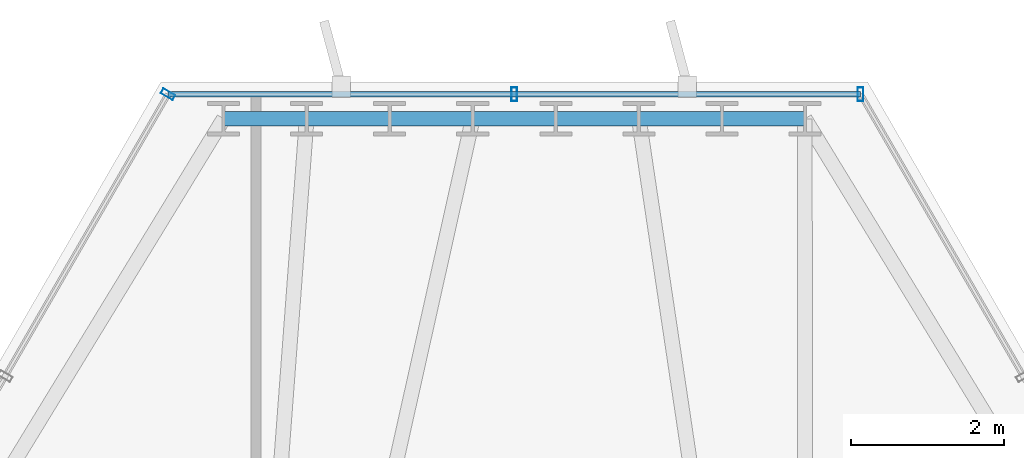
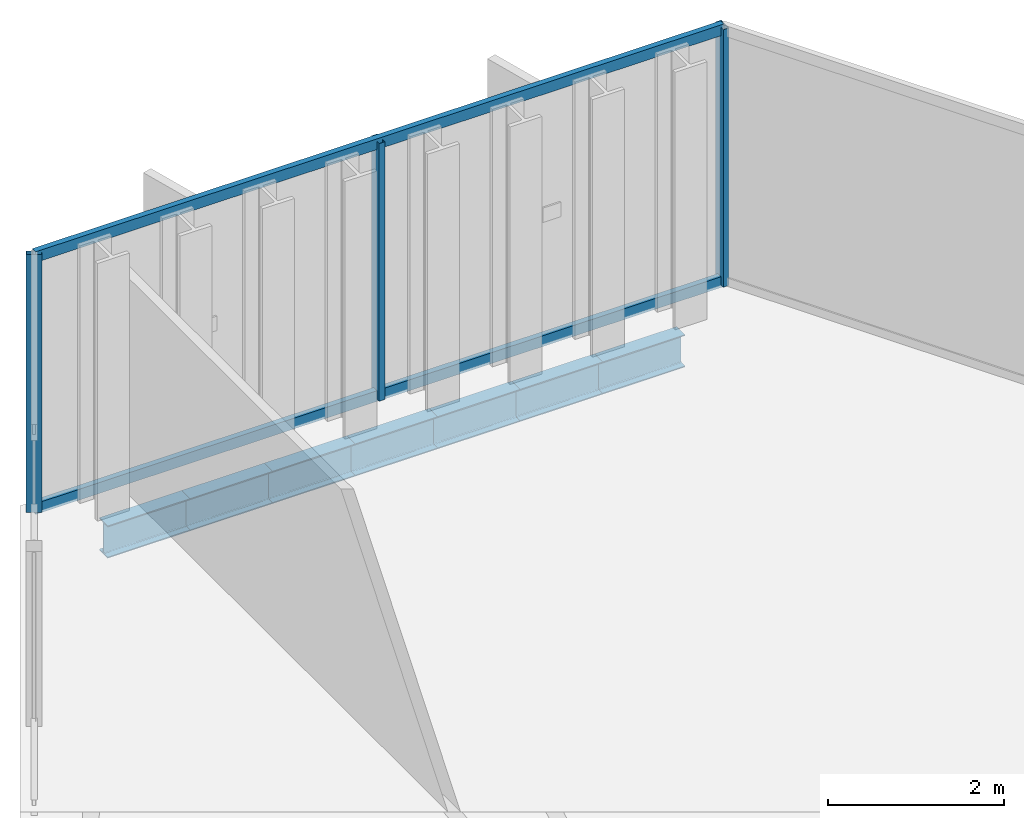
# One storey, part 23 of 34: 7 beams, 5 members, 2 elements without a shape of their own.
"""IFC4 building model written with IfcOpenShell, lengths in metres."""

from ifc_helpers import new_model, si_unit, direction, frame, origin, origin_2d, place, context, subcontext, project, spatial, hollow_rectangle, i_section, extrude, material, layer, layer_set, material_profile, profile_set, type_object, element, aggregate, save


model = new_model("IFC4")

# Units and contexts
model_context = context("Model", 3, precision=1e-05, world=origin(), true_north=direction((0.0, 1.0)))
body_context = subcontext(model_context, "Body", "Model", "MODEL_VIEW")
ifc_project = project(units=[si_unit("LENGTHUNIT", "METRE"), si_unit("AREAUNIT", "SQUARE_METRE"), si_unit("VOLUMEUNIT", "CUBIC_METRE"), si_unit("PLANEANGLEUNIT", "RADIAN"), si_unit("MASSUNIT", "GRAM", prefix="KILO")], contexts=[model_context])

# Site, building, storey
site_placement = place(None, origin())
site = spatial("IfcSite", under=ifc_project, at=site_placement, CompositionType="ELEMENT")
building_placement = place(site_placement, origin())
building = spatial("IfcBuilding", under=site, at=building_placement, Name="Ndaravel Arena Tower", CompositionType="ELEMENT")
storey_placement = place(building_placement, frame((0.0, 0.0, 195.39990234375)))
storey = spatial("IfcBuildingStorey", under=building, at=storey_placement, Name="L47", CompositionType="ELEMENT", Elevation=195.39990234375)

# Beams
ifc_material_1 = material(Name="Steel S355", Category="steel")
ifc_material_profile_1 = material_profile(ifc_material_1, i_section(OverallWidth=0.18994140625, OverallDepth=0.449951171875, WebThickness=0.009521484375, FlangeThickness=0.0146484375, FilletRadius=0.02099609375, at=origin_2d()), Name="IPE 450")
ifc_profile_set_1 = profile_set([ifc_material_profile_1], Name="Steel S355")
beam_type = type_object("IfcBeamType", Name="BM-SPAN-IPE450", PredefinedType="SPANDREL", material=ifc_profile_set_1)
for number, where, z_axis, x_axis, name in (
    (1, (45.7958984375, 45.805908203125, -0.44482421875), (-1.0, 0.0, 0.0), (0.0, -1.0, 0.0), "L47 Perimeter Spandrel Beam SP-11"),
    (2, (44.71142578125, 45.805908203125, -0.44482421875), (-1.0, 0.0, 0.0), (0.0, -1.0, 0.0), "L47 Perimeter Spandrel Beam SP-12"),
):
    element("IfcBeam", number, at=place(storey_placement, frame(where, z_axis=z_axis, x_axis=x_axis)), inside=storey, type_object=beam_type, Name=name, PredefinedType="SPANDREL", context=body_context, shape_type="SweptSolid", body=[
        extrude(i_section(OverallWidth=0.18994140625, OverallDepth=0.449951171875, WebThickness=0.009521484375, FlangeThickness=0.0146484375, FilletRadius=0.02099609375, at=origin_2d()), origin(), (0.0, 0.0, 1.0), 1.08447265625),
    ])
beam_1_placement = place(storey_placement, frame((43.626953125, 45.805908203125, -0.44482421875), z_axis=(-1.0, 0.0, 0.0), x_axis=(0.0, -1.0, 0.0)))
element("IfcBeam", 3, at=beam_1_placement, inside=storey, type_object=beam_type, Name="L47 Perimeter Spandrel Beam SP-13", PredefinedType="SPANDREL", context=body_context, shape_type="SweptSolid", body=[
    extrude(i_section(OverallWidth=0.18994140625, OverallDepth=0.449951171875, WebThickness=0.009521484375, FlangeThickness=0.0146484375, FilletRadius=0.02099609375, at=origin_2d()), origin(), (0.0, 0.0, 1.0), 1.084716796875),
])
beam_2_placement = place(storey_placement, frame((42.542236328125, 45.805908203125, -0.44482421875), z_axis=(-1.0, 0.0, 0.0), x_axis=(0.0, -1.0, 0.0)))
element("IfcBeam", 4, at=beam_2_placement, inside=storey, type_object=beam_type, Name="L47 Perimeter Spandrel Beam SP-14", PredefinedType="SPANDREL", context=body_context, shape_type="SweptSolid", body=[
    extrude(i_section(OverallWidth=0.18994140625, OverallDepth=0.449951171875, WebThickness=0.009521484375, FlangeThickness=0.0146484375, FilletRadius=0.02099609375, at=origin_2d()), origin(), (0.0, 0.0, 1.0), 1.08447265625),
])
beam_3_placement = place(storey_placement, frame((41.457763671875, 45.805908203125, -0.44482421875), z_axis=(-1.0, 0.0, 0.0), x_axis=(0.0, -1.0, 0.0)))
element("IfcBeam", 5, at=beam_3_placement, inside=storey, type_object=beam_type, Name="L47 Perimeter Spandrel Beam SP-15", PredefinedType="SPANDREL", context=body_context, shape_type="SweptSolid", body=[
    extrude(i_section(OverallWidth=0.18994140625, OverallDepth=0.449951171875, WebThickness=0.009521484375, FlangeThickness=0.0146484375, FilletRadius=0.02099609375, at=origin_2d()), origin(), (0.0, 0.0, 1.0), 1.084716796875),
])
for number, where, z_axis, x_axis, name in (
    (6, (40.373046875, 45.805908203125, -0.44482421875), (-1.0, 0.0, 0.0), (0.0, -1.0, 0.0), "L47 Perimeter Spandrel Beam SP-16"),
    (7, (39.28857421875, 45.805908203125, -0.44482421875), (-1.0, 0.0, 0.0), (0.0, -1.0, 0.0), "L47 Perimeter Spandrel Beam SP-17"),
):
    element("IfcBeam", number, at=place(storey_placement, frame(where, z_axis=z_axis, x_axis=x_axis)), inside=storey, type_object=beam_type, Name=name, PredefinedType="SPANDREL", context=body_context, shape_type="SweptSolid", body=[
        extrude(i_section(OverallWidth=0.18994140625, OverallDepth=0.449951171875, WebThickness=0.009521484375, FlangeThickness=0.0146484375, FilletRadius=0.02099609375, at=origin_2d()), origin(), (0.0, 0.0, 1.0), 1.08447265625),
    ])

# Curtain wall, members
ifc_material_2 = material(Name="Aluminium", Category="aluminium")
ifc_layer_1 = layer(ifc_material_2, 0.179931640625)
ifc_layer_set_1 = layer_set([ifc_layer_1], Name="Aluminium")
curtain_wall_type_1 = type_object("IfcCurtainWallType", Name="CW-SYS-01", PredefinedType="NOTDEFINED", material=ifc_layer_set_1)
curtain_wall_1_placement = place(storey_placement, origin())
curtain_wall_1 = element("IfcCurtainWall", 8, at=curtain_wall_1_placement, inside=storey, type_object=curtain_wall_type_1, Name="L47 Faceted Crystal Curtain Wall CW-L47-E04", PredefinedType="NOTDEFINED")
ifc_material_3 = material(Name="Aluminium", Category="aluminium")
ifc_material_profile_2 = material_profile(ifc_material_3, hollow_rectangle(XDim=0.074951171875, YDim=0.179931640625, WallThickness=0.00390625, at=origin_2d()), Name="CW MULLION 75x180x4")
ifc_profile_set_2 = profile_set([ifc_material_profile_2], Name="Aluminium")
member_type_1 = type_object("IfcMemberType", Name="MEM-CW-MUL180", PredefinedType="MULLION", material=ifc_profile_set_2)
member_1_placement = place(storey_placement, frame((46.52294921875, 46.1259765625, 0.0), z_axis=(0.0, 0.0, 1.0), x_axis=(-1.0, 0.0, 0.0)))
member_1 = element("IfcMember", 9, at=member_1_placement, type_object=member_type_1, Name="CW-L47-E04 Mullion 00", PredefinedType="MULLION", context=body_context, shape_type="SweptSolid", body=[
    extrude(hollow_rectangle(XDim=0.074951171875, YDim=0.179931640625, WallThickness=0.00390625, at=origin_2d()), origin(), (0.0, 0.0, 1.0), 3.580078125),
])
member_2_placement = place(storey_placement, frame((42.0, 46.1259765625, 0.0), z_axis=(0.0, 0.0, 1.0), x_axis=(-1.0, 0.0, 0.0)))
member_2 = element("IfcMember", 10, at=member_2_placement, type_object=member_type_1, Name="CW-L47-E04 Mullion 01", PredefinedType="MULLION", context=body_context, shape_type="SweptSolid", body=[
    extrude(hollow_rectangle(XDim=0.074951171875, YDim=0.179931640625, WallThickness=0.00390625, at=origin_2d()), origin(), (0.0, 0.0, 1.0), 3.580078125),
])

# Curtain wall, member
ifc_material_4 = material(Name="Aluminium", Category="aluminium")
ifc_layer_2 = layer(ifc_material_4, 0.179931640625)
ifc_layer_set_2 = layer_set([ifc_layer_2], Name="Aluminium")
curtain_wall_type_2 = type_object("IfcCurtainWallType", Name="CW-SYS-03", PredefinedType="NOTDEFINED", material=ifc_layer_set_2)
curtain_wall_2_placement = place(storey_placement, origin())
curtain_wall_2 = element("IfcCurtainWall", 11, at=curtain_wall_2_placement, inside=storey, type_object=curtain_wall_type_2, Name="L47 Faceted Crystal Curtain Wall CW-L47-E05", PredefinedType="NOTDEFINED")
member_3_placement = place(storey_placement, frame((37.47705078125, 46.1259765625, 0.0), z_axis=(0.0, 0.0, 1.0), x_axis=(-0.5, -0.866025403784, 0.0)))
member_3 = element("IfcMember", 12, at=member_3_placement, type_object=member_type_1, Name="CW-L47-E05 Mullion 00", PredefinedType="MULLION", context=body_context, shape_type="SweptSolid", body=[
    extrude(hollow_rectangle(XDim=0.074951171875, YDim=0.179931640625, WallThickness=0.00390625, at=origin_2d()), origin(), (0.0, 0.0, 1.0), 3.580078125),
])
aggregate(curtain_wall_2, [member_3])

# Member
ifc_material_5 = material(Name="Aluminium", Category="aluminium")
ifc_material_profile_3 = material_profile(ifc_material_5, hollow_rectangle(XDim=0.074951171875, YDim=0.14990234375, WallThickness=0.00390625, at=origin_2d()), Name="CW TRANSOM 75x150x4")
ifc_profile_set_3 = profile_set([ifc_material_profile_3], Name="Aluminium")
member_type_2 = type_object("IfcMemberType", Name="MEM-CW-TRN150", PredefinedType="USERDEFINED", material=ifc_profile_set_3)
member_4_placement = place(storey_placement, frame((46.52294921875, 46.1259765625, 0.0400390625), z_axis=(-1.0, 0.0, 0.0), x_axis=(0.0, -1.0, 0.0)))
member_4 = element("IfcMember", 13, at=member_4_placement, type_object=member_type_2, Name="CW-L47-E04 Transom 01", ObjectType="TRANSOM", PredefinedType="USERDEFINED", context=body_context, shape_type="SweptSolid", body=[
    extrude(hollow_rectangle(XDim=0.074951171875, YDim=0.14990234375, WallThickness=0.00390625, at=origin_2d()), origin(), (0.0, 0.0, 1.0), 9.0458984375),
])

member_5_placement = place(storey_placement, frame((46.52294921875, 46.1259765625, 3.5400390625), z_axis=(-1.0, 0.0, 0.0), x_axis=(0.0, -1.0, 0.0)))
member_5 = element("IfcMember", 14, at=member_5_placement, type_object=member_type_2, Name="CW-L47-E04 Transom 02", ObjectType="TRANSOM", PredefinedType="USERDEFINED", context=body_context, shape_type="SweptSolid", body=[
    extrude(hollow_rectangle(XDim=0.074951171875, YDim=0.14990234375, WallThickness=0.00390625, at=origin_2d()), origin(), (0.0, 0.0, 1.0), 9.0458984375),
])

aggregate(curtain_wall_1, [member_1, member_2, member_4, member_5])

save(model, "model.ifc")
